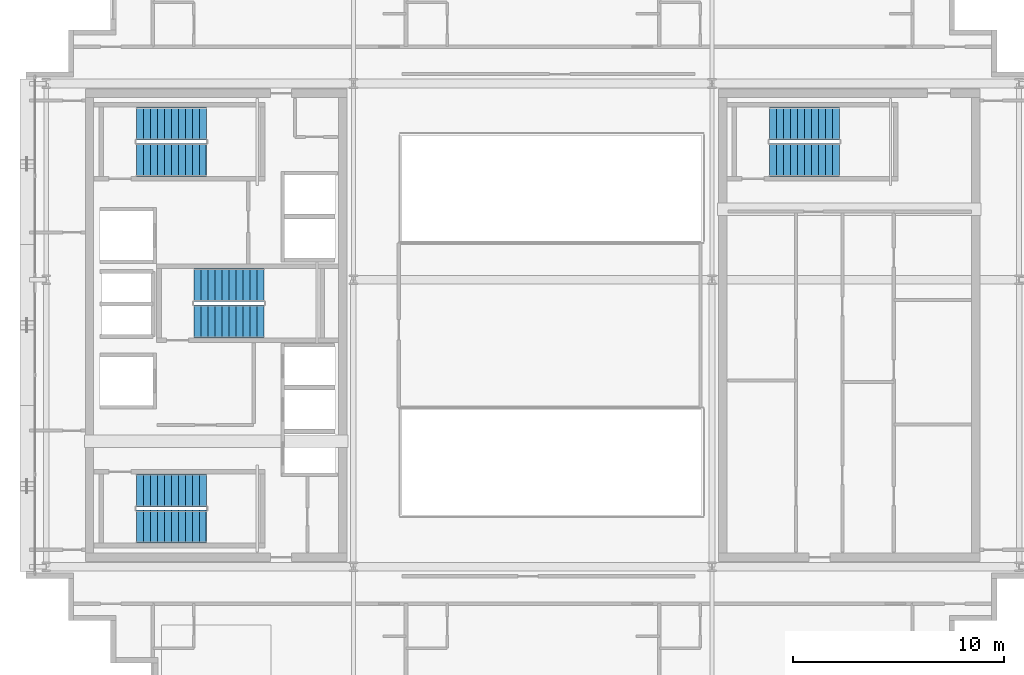
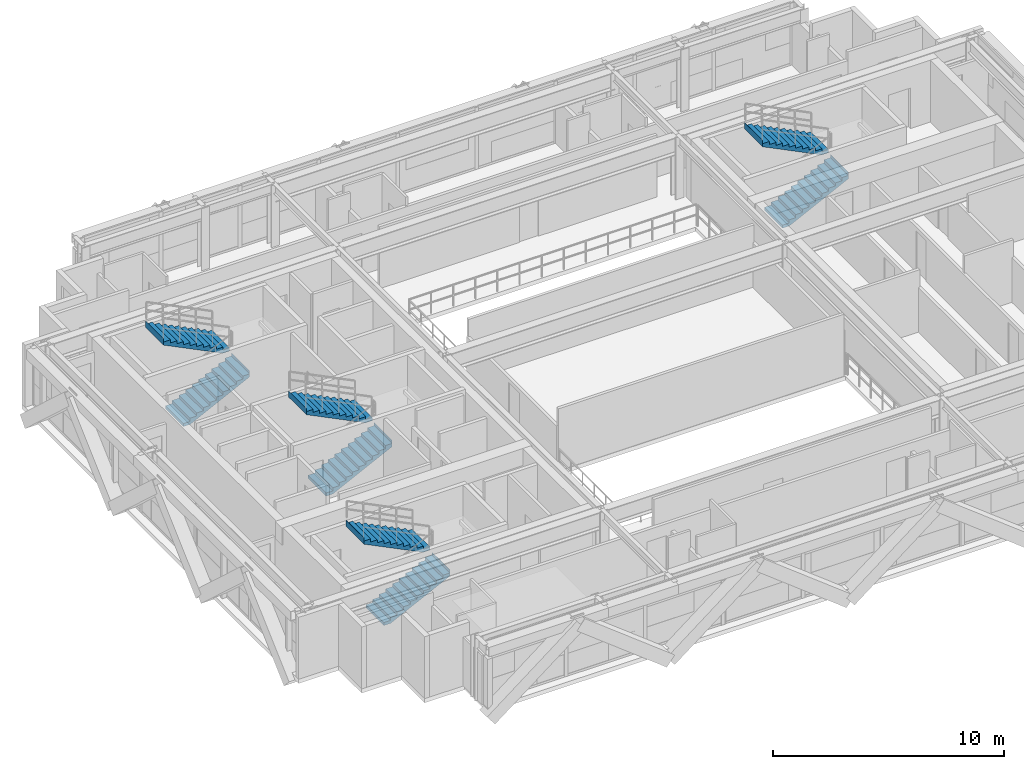
# One storey, part 24 of 28: 8 stair flights, 4 elements without a shape of their own.
"""IFC4 building model written with IfcOpenShell, lengths in metres."""

import ifcopenshell
import ifcopenshell.guid

model = None  # the IFC model being written
_history = None  # IfcOwnerHistory: only IFC2X3 demands one
_inside = {}  # id of a spatial element -> (the spatial element, [elements in it])
_under = {}  # id of a project, library or spatial element -> (it, [spatial elements below it])
_declared = {}  # id of a project -> (the project, [libraries it declares])
_typed = {}  # id of a type object -> (the type object, [elements of that type])
_made_of = {}  # id of a material, layer set ... -> (it, [elements and type objects made of it])


def new_model(schema):
    """Start an empty IFC model of exactly this schema.

    Asked for "IFC4X3", IfcOpenShell would pick the latest addendum, in which some entities
    have other attributes; the version numbers below select the first issue.
    IFC2X3 requires an IfcOwnerHistory on every rooted entity: one is made here for all.
    """
    global model, _history
    if schema == "IFC4X3":
        model = ifcopenshell.file(schema_version=(4, 3, 0, 0))
    else:
        model = ifcopenshell.file(schema=schema)
    _inside.clear()
    _under.clear()
    _declared.clear()
    _typed.clear()
    _made_of.clear()
    _history = None
    if model.schema == "IFC2X3":
        org = make("IfcOrganization", Name="unknown")
        user = make(
            "IfcPersonAndOrganization",
            ThePerson=make("IfcPerson", FamilyName="unknown"),
            TheOrganization=org,
        )
        app = make(
            "IfcApplication",
            ApplicationDeveloper=org,
            Version="unknown",
            ApplicationFullName="unknown",
            ApplicationIdentifier="unknown",
        )
        _history = make(
            "IfcOwnerHistory",
            OwningUser=user,
            OwningApplication=app,
            ChangeAction="ADDED",
            CreationDate=0,
        )
    return model


def make(cls, **values):
    """One entity of the class cls with the attributes given. An attribute that is None is left unset."""
    return model.create_entity(
        cls, **{name: value for name, value in values.items() if value is not None}
    )


def rooted(cls, **values):
    """An entity with a GlobalId (a new one), such as an element, a storey or a relation."""
    return make(cls, GlobalId=ifcopenshell.guid.new(), OwnerHistory=_history, **values)


def si_unit(unit_type, name, prefix=None):
    """IfcSIUnit, for example si_unit("LENGTHUNIT", "METRE", prefix="MILLI")."""
    return make("IfcSIUnit", UnitType=unit_type, Prefix=prefix, Name=name)


def assignment(units):
    """IfcUnitAssignment: the units of a project."""
    return None if units is None else make("IfcUnitAssignment", Units=units)


def point(xyz):
    """IfcCartesianPoint."""
    return None if xyz is None else make("IfcCartesianPoint", Coordinates=xyz)


def direction(xyz):
    """IfcDirection."""
    return None if xyz is None else make("IfcDirection", DirectionRatios=xyz)


def frame(location, z_axis=None, x_axis=None):
    """IfcAxis2Placement3D, a coordinate frame: its origin and axes. An axis left out is left unset."""
    return make(
        "IfcAxis2Placement3D",
        Location=point(location),
        Axis=direction(z_axis),
        RefDirection=direction(x_axis),
    )


def origin():
    """The frame at (0, 0, 0) with its axes left unset."""
    return frame((0.0, 0.0, 0.0))


def place(relative_to, where):
    """IfcLocalPlacement: puts the frame where relative to a parent placement (None: the world)."""
    return make(
        "IfcLocalPlacement", PlacementRelTo=relative_to, RelativePlacement=where
    )


def context(
    kind, dimensions, precision=None, world=None, true_north=None, identifier=None
):
    """IfcGeometricRepresentationContext, for example the 3D "Model" context."""
    return make(
        "IfcGeometricRepresentationContext",
        ContextIdentifier=identifier,
        ContextType=kind,
        CoordinateSpaceDimension=dimensions,
        Precision=precision,
        WorldCoordinateSystem=world,
        TrueNorth=true_north,
    )


def subcontext(parent, identifier, kind, view, scale=None):
    """IfcGeometricRepresentationSubContext, for example "Body" below "Model"."""
    return make(
        "IfcGeometricRepresentationSubContext",
        ContextIdentifier=identifier,
        ContextType=kind,
        ParentContext=parent,
        TargetScale=scale,
        TargetView=view,
    )


def project(units=None, contexts=None):
    """IfcProject with its units and contexts."""
    return rooted(
        "IfcProject",
        Name="project",
        RepresentationContexts=contexts,
        UnitsInContext=assignment(units),
    )


def spatial(cls, under=None, at=None, **own):
    """A site, building, storey or space (cls), placed at a placement, below another one or the project."""
    s = rooted(cls, ObjectPlacement=at, **own)
    if under is not None:
        _under.setdefault(under.id(), (under, []))[1].append(s)
    return s


def polyline(points):
    """IfcPolyline through the points."""
    return make("IfcPolyline", Points=[point(p) for p in points])


def outline(outer, holes=None, kind="AREA"):
    """IfcArbitraryClosedProfileDef: a profile drawn as a closed curve; with holes, ...WithVoids."""
    if holes is None:
        return make("IfcArbitraryClosedProfileDef", ProfileType=kind, OuterCurve=outer)
    return make(
        "IfcArbitraryProfileDefWithVoids",
        ProfileType=kind,
        OuterCurve=outer,
        InnerCurves=holes,
    )


def extrude(swept, where, along, depth):
    """IfcExtrudedAreaSolid: the profile swept, set in the frame where, extruded along a direction by depth."""
    return make(
        "IfcExtrudedAreaSolid",
        SweptArea=swept,
        Position=where,
        ExtrudedDirection=direction(along),
        Depth=depth,
    )


def shape(context_of_items, identifier, shape_type, items):
    """IfcShapeRepresentation: the items that make up one representation, for example the "Body"."""
    return make(
        "IfcShapeRepresentation",
        ContextOfItems=context_of_items,
        RepresentationIdentifier=identifier,
        RepresentationType=shape_type,
        Items=items,
    )


def source(mapping_origin, context_of_items, identifier, shape_type, items):
    """IfcRepresentationMap: a shape defined once, which mapped items show again and again."""
    return make(
        "IfcRepresentationMap",
        MappingOrigin=mapping_origin,
        MappedRepresentation=shape(context_of_items, identifier, shape_type, items),
    )


def transform(
    local_origin,
    x_axis=None,
    y_axis=None,
    z_axis=None,
    scale=None,
    scale2=None,
    scale3=None,
    uniform=True,
):
    """IfcCartesianTransformationOperator3D, or its non-uniform kind. x_axis, y_axis, z_axis: its Axis1, 2, 3."""
    if uniform:
        return make(
            "IfcCartesianTransformationOperator3D",
            Axis1=direction(x_axis),
            Axis2=direction(y_axis),
            LocalOrigin=point(local_origin),
            Scale=scale,
            Axis3=direction(z_axis),
        )
    return make(
        "IfcCartesianTransformationOperator3DnonUniform",
        Axis1=direction(x_axis),
        Axis2=direction(y_axis),
        LocalOrigin=point(local_origin),
        Scale=scale,
        Axis3=direction(z_axis),
        Scale2=scale2,
        Scale3=scale3,
    )


def mapped(mapping_source, mapping_target):
    """IfcMappedItem: shows the shape of a source again, moved by a transform."""
    return make(
        "IfcMappedItem", MappingSource=mapping_source, MappingTarget=mapping_target
    )


def material(Name=None, Category=None):
    """IfcMaterial."""
    return make("IfcMaterial", Name=Name, Category=Category)


def made_of(thing, what):
    """Note that an element or type object is made of a material, layer set ...; save() writes the relation."""
    if what is not None:
        _made_of.setdefault(what.id(), (what, []))[1].append(thing)
    return thing


def type_object(cls, material=None, **own):
    """A type object (cls), such as IfcWallType, which elements share."""
    return made_of(rooted(cls, **own), material)


def element(
    cls,
    number,
    at=None,
    inside=None,
    cuts=None,
    type_object=None,
    material=None,
    context=None,
    identifier="Body",
    shape_type=None,
    held_by="IfcProductDefinitionShape",
    body=None,
    shapes=None,
    **own,
):
    """One element of the class cls, such as IfcWall. Its Tag is "e" and its number.

    at: its placement. inside: the storey or other place that contains it. cuts: it is an
    opening in that element (IfcRelVoidsElement). A single representation is given by context,
    identifier, shape_type and body (its items); several are given by shapes. held_by: the class
    of the entity that holds the representations. save() writes the other relations.
    """
    e = rooted(cls, Tag="e%d" % number, ObjectPlacement=at, **own)
    if body is not None:
        shapes = [shape(context, identifier, shape_type, body)]
    if shapes is not None:
        e.Representation = make(held_by, Representations=shapes)
    if inside is not None:
        _inside.setdefault(inside.id(), (inside, []))[1].append(e)
    if cuts is not None:
        rooted(
            "IfcRelVoidsElement", RelatingBuildingElement=cuts, RelatedOpeningElement=e
        )
    if type_object is not None:
        _typed.setdefault(type_object.id(), (type_object, []))[1].append(e)
    return made_of(e, material)


def aggregate(whole, parts):
    """IfcRelAggregates: a whole, such as a stair, and the parts it consists of."""
    return rooted("IfcRelAggregates", RelatingObject=whole, RelatedObjects=parts)


def save(model, path):
    """Write the relations noted so far, then the file.

    IfcRelAggregates (storeys below a building ...), IfcRelContainedInSpatialStructure (elements
    in a storey), IfcRelDefinesByType, IfcRelAssociatesMaterial and IfcRelDeclares: one each for
    every whole, place, type object, material and project.
    """
    for whole, parts in _under.values():
        aggregate(whole, parts)
    for where, things in _inside.values():
        rooted(
            "IfcRelContainedInSpatialStructure",
            RelatedElements=things,
            RelatingStructure=where,
        )
    for kind, things in _typed.values():
        rooted("IfcRelDefinesByType", RelatedObjects=things, RelatingType=kind)
    for what, things in _made_of.values():
        rooted("IfcRelAssociatesMaterial", RelatedObjects=things, RelatingMaterial=what)
    for by, libraries in _declared.values():
        rooted("IfcRelDeclares", RelatingContext=by, RelatedDefinitions=libraries)
    model.write(path)


model = new_model("IFC4")

# Units and contexts
model_context = context("Model", 3, precision=1e-05, world=origin(), true_north=direction((0.0, 1.0)))
body_context = subcontext(model_context, "Body", "Model", "MODEL_VIEW")
ifc_project = project(units=[si_unit("LENGTHUNIT", "METRE"), si_unit("AREAUNIT", "SQUARE_METRE"), si_unit("VOLUMEUNIT", "CUBIC_METRE"), si_unit("PLANEANGLEUNIT", "RADIAN"), si_unit("MASSUNIT", "GRAM", prefix="KILO")], contexts=[model_context])

# Site, building, storey
site_placement = place(None, origin())
site = spatial("IfcSite", under=ifc_project, at=site_placement, CompositionType="ELEMENT")
building_placement = place(site_placement, origin())
building = spatial("IfcBuilding", under=site, at=building_placement, Name="Ocotamira Hotel", CompositionType="ELEMENT")
storey_placement = place(building_placement, frame((0.0, 0.0, 243.60009765625)))
storey = spatial("IfcBuildingStorey", under=building, at=storey_placement, Name="L61", CompositionType="ELEMENT", Elevation=243.60009765625)

# Stair, stair flights
ifc_material = material(Name="Concrete C40/50", Category="concrete")
stair_type = type_object("IfcStairType", Name="ST-CORE-1560", PredefinedType="HALF_TURN_STAIR", material=ifc_material)
stair_1_placement = place(storey_placement, origin())
stair_1 = element("IfcStair", 1, at=stair_1_placement, inside=storey, type_object=stair_type, Name="L61 Exit Stair ST-1", PredefinedType="HALF_TURN_STAIR")
stair_flight_type = type_object("IfcStairFlightType", Name="STF-CORE-1560", PredefinedType="STRAIGHT", material=ifc_material)
shared_shape = source(origin(), body_context, "Body", "SweptSolid", [
    extrude(outline(polyline([(-0.00390625, 0.0), (-0.00390625, 0.16357421875), (0.330078125, 0.16357421875), (0.330078125, 0.327392578125), (0.659912109375, 0.327392578125), (0.659912109375, 0.490966796875), (0.989990234375, 0.490966796875), (0.989990234375, 0.654541015625), (1.320068359375, 0.654541015625), (1.320068359375, 0.818115234375), (1.64990234375, 0.818115234375), (1.64990234375, 0.98193359375), (1.97998046875, 0.98193359375), (1.97998046875, 1.1455078125), (2.31005859375, 1.1455078125), (2.31005859375, 1.30908203125), (2.639892578125, 1.30908203125), (2.639892578125, 1.47265625), (2.969970703125, 1.47265625), (2.969970703125, 1.636474609375), (3.300048828125, 1.636474609375), (3.300048828125, 1.800048828125), (3.303955078125, 1.800048828125), (3.303955078125, 1.468994140625), (0.33740234375, 0.0), (-0.00390625, 0.0)])), frame((0.0, 0.780029296875, 0.0), z_axis=(0.0, -1.0, 0.0), x_axis=(1.0, 0.0, 0.0)), (0.0, 0.0, 1.0), 1.56005859375),
])
stair_flight_1_placement = place(storey_placement, frame((13.22998046875, 16.449951171875, 0.0), z_axis=(0.0, 0.0, 1.0), x_axis=(1.0, 0.0, 0.0)))
stair_flight_1 = element("IfcStairFlight", 2, at=stair_flight_1_placement, type_object=stair_flight_type, Name="ST-1 flight 1", NumberOfRisers=11, NumberOfTreads=10, PredefinedType="STRAIGHT", RiserHeight=0.163636364, TreadLength=0.33, context=body_context, shape_type="MappedRepresentation", body=[
    mapped(shared_shape, transform((0.0, 0.0, 0.0), scale=1.0)),
])
stair_flight_2_placement = place(storey_placement, frame((16.530029296875, 18.169921875, 1.7998046875), z_axis=(0.0, 0.0, 1.0), x_axis=(-1.0, 0.0, 0.0)))
stair_flight_2 = element("IfcStairFlight", 3, at=stair_flight_2_placement, type_object=stair_flight_type, Name="ST-1 flight 2", NumberOfRisers=11, NumberOfTreads=10, PredefinedType="STRAIGHT", RiserHeight=0.163636364, TreadLength=0.33, context=body_context, shape_type="MappedRepresentation", body=[
    mapped(shared_shape, transform((0.0, 0.0, 0.0), scale=1.0)),
])
aggregate(stair_1, [stair_flight_1, stair_flight_2])

stair_2_placement = place(storey_placement, origin())
stair_2 = element("IfcStair", 4, at=stair_2_placement, inside=storey, type_object=stair_type, Name="L61 Exit Stair ST-2", PredefinedType="HALF_TURN_STAIR")
stair_flight_3_placement = place(storey_placement, frame((13.22998046875, 33.830078125, 0.0), z_axis=(0.0, 0.0, 1.0), x_axis=(1.0, 0.0, 0.0)))
stair_flight_3 = element("IfcStairFlight", 5, at=stair_flight_3_placement, type_object=stair_flight_type, Name="ST-2 flight 1", NumberOfRisers=11, NumberOfTreads=10, PredefinedType="STRAIGHT", RiserHeight=0.163636364, TreadLength=0.33, context=body_context, shape_type="MappedRepresentation", body=[
    mapped(shared_shape, transform((0.0, 0.0, 0.0), scale=1.0)),
])
stair_flight_4_placement = place(storey_placement, frame((16.530029296875, 35.550048828125, 1.7998046875), z_axis=(0.0, 0.0, 1.0), x_axis=(-1.0, 0.0, 0.0)))
stair_flight_4 = element("IfcStairFlight", 6, at=stair_flight_4_placement, type_object=stair_flight_type, Name="ST-2 flight 2", NumberOfRisers=11, NumberOfTreads=10, PredefinedType="STRAIGHT", RiserHeight=0.163636364, TreadLength=0.33, context=body_context, shape_type="MappedRepresentation", body=[
    mapped(shared_shape, transform((0.0, 0.0, 0.0), scale=1.0)),
])
aggregate(stair_2, [stair_flight_3, stair_flight_4])

stair_3_placement = place(storey_placement, origin())
stair_3 = element("IfcStair", 7, at=stair_3_placement, inside=storey, type_object=stair_type, Name="L61 Exit Stair ST-3", PredefinedType="HALF_TURN_STAIR")
stair_flight_5_placement = place(storey_placement, frame((15.9599609375, 26.179931640625, 0.0), z_axis=(0.0, 0.0, 1.0), x_axis=(1.0, 0.0, 0.0)))
stair_flight_5 = element("IfcStairFlight", 8, at=stair_flight_5_placement, type_object=stair_flight_type, Name="ST-3 flight 1", NumberOfRisers=11, NumberOfTreads=10, PredefinedType="STRAIGHT", RiserHeight=0.163636364, TreadLength=0.33, context=body_context, shape_type="MappedRepresentation", body=[
    mapped(shared_shape, transform((0.0, 0.0, 0.0), scale=1.0)),
])
stair_flight_6_placement = place(storey_placement, frame((19.260009765625, 27.89990234375, 1.7998046875), z_axis=(0.0, 0.0, 1.0), x_axis=(-1.0, 0.0, 0.0)))
stair_flight_6 = element("IfcStairFlight", 9, at=stair_flight_6_placement, type_object=stair_flight_type, Name="ST-3 flight 2", NumberOfRisers=11, NumberOfTreads=10, PredefinedType="STRAIGHT", RiserHeight=0.163636364, TreadLength=0.33, context=body_context, shape_type="MappedRepresentation", body=[
    mapped(shared_shape, transform((0.0, 0.0, 0.0), scale=1.0)),
])
aggregate(stair_3, [stair_flight_5, stair_flight_6])

stair_4_placement = place(storey_placement, origin())
stair_4 = element("IfcStair", 10, at=stair_4_placement, inside=storey, type_object=stair_type, Name="L61 Exit Stair ST-4", PredefinedType="HALF_TURN_STAIR")
stair_flight_7_placement = place(storey_placement, frame((43.22998046875, 33.830078125, 0.0), z_axis=(0.0, 0.0, 1.0), x_axis=(1.0, 0.0, 0.0)))
stair_flight_7 = element("IfcStairFlight", 11, at=stair_flight_7_placement, type_object=stair_flight_type, Name="ST-4 flight 1", NumberOfRisers=11, NumberOfTreads=10, PredefinedType="STRAIGHT", RiserHeight=0.163636364, TreadLength=0.33, context=body_context, shape_type="MappedRepresentation", body=[
    mapped(shared_shape, transform((0.0, 0.0, 0.0), scale=1.0)),
])
stair_flight_8_placement = place(storey_placement, frame((46.530029296875, 35.550048828125, 1.7998046875), z_axis=(0.0, 0.0, 1.0), x_axis=(-1.0, 0.0, 0.0)))
stair_flight_8 = element("IfcStairFlight", 12, at=stair_flight_8_placement, type_object=stair_flight_type, Name="ST-4 flight 2", NumberOfRisers=11, NumberOfTreads=10, PredefinedType="STRAIGHT", RiserHeight=0.163636364, TreadLength=0.33, context=body_context, shape_type="MappedRepresentation", body=[
    mapped(shared_shape, transform((0.0, 0.0, 0.0), scale=1.0)),
])
aggregate(stair_4, [stair_flight_7, stair_flight_8])

save(model, "model.ifc")
